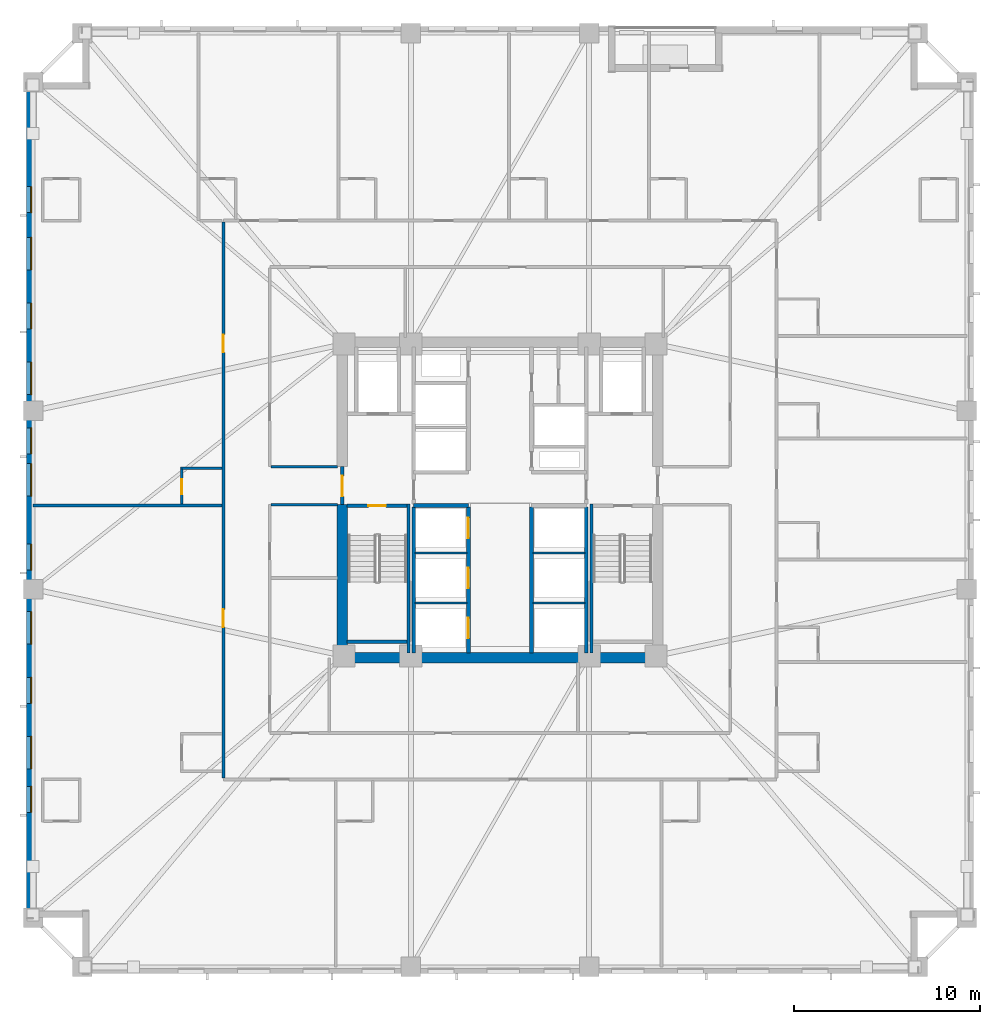
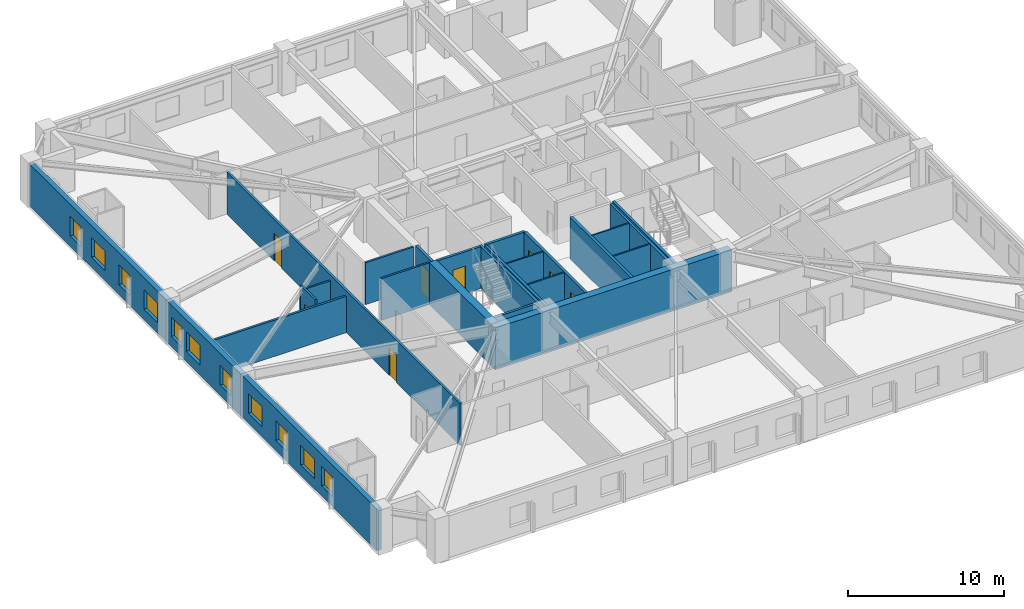
# One storey, part 3 of 12: 23 walls, 11 windows, 8 doors, 19 openings.
"""IFC4 building model written with IfcOpenShell, lengths in metres."""

from ifc_helpers import new_model, si_unit, direction, frame, frame_2d, origin, place, context, subcontext, project, spatial, rectangle, extrude, material, layer, layer_set, type_object, element, fill, save


model = new_model("IFC4")

# Units and contexts
model_context = context("Model", 3, precision=1e-05, world=origin(), true_north=direction((0.0, 1.0)))
body_context = subcontext(model_context, "Body", "Model", "MODEL_VIEW")
ifc_project = project(units=[si_unit("LENGTHUNIT", "METRE"), si_unit("AREAUNIT", "SQUARE_METRE"), si_unit("VOLUMEUNIT", "CUBIC_METRE"), si_unit("PLANEANGLEUNIT", "RADIAN"), si_unit("MASSUNIT", "GRAM", prefix="KILO")], contexts=[model_context])

# Site, building, storey
site_placement = place(None, origin())
site = spatial("IfcSite", under=ifc_project, at=site_placement, CompositionType="ELEMENT")
building_placement = place(site_placement, origin())
building = spatial("IfcBuilding", under=site, at=building_placement, Name="Cairnveth Concourse Tower", CompositionType="ELEMENT")
storey_placement = place(building_placement, frame((0.0, 0.0, 90.0)))
storey = spatial("IfcBuildingStorey", under=building, at=storey_placement, Name="L24", CompositionType="ELEMENT", Elevation=90.0)

# Wall, openings, doors
ifc_material_1 = material(Name="Gypsum Plasterboard Partition", Category="gypsum")
ifc_layer_1 = layer(ifc_material_1, 0.159912109375)
ifc_layer_set_1 = layer_set([ifc_layer_1], Name="Gypsum Plasterboard Partition")
wall_type_1 = type_object("IfcWallType", Name="ACOUSTIC PARTY WALL 180", PredefinedType="PARTITIONING", material=ifc_layer_set_1)
wall_1_placement = place(storey_placement, frame((37.10009765625, 24.014892578125, 0.0), z_axis=(0.0, 0.0, 1.0), x_axis=(0.0, 1.0, 0.0)))
wall_1 = element("IfcWall", 1, at=wall_1_placement, inside=storey, type_object=wall_type_1, Name="Interior Wall IW-L24-040", PredefinedType="PARTITIONING", context=body_context, shape_type="SweptSolid", body=[
    extrude(rectangle(XDim=29.97021484375, YDim=0.159912109375, at=frame_2d((14.985107421875, 0.0))), origin(), (0.0, 0.0, 1.0), 3.280029296875),
])
opening_1_placement = place(wall_1_placement, frame((8.1337890625, 0.0, 0.0)))
opening_1 = element("IfcOpeningElement", 2, at=opening_1_placement, cuts=wall_1, Name="Opening ID09", PredefinedType="OPENING", context=body_context, shape_type="SweptSolid", body=[
    extrude(rectangle(XDim=0.9599609375, YDim=2.14990234375, at=frame_2d((0.47998046875, 1.074951171875))), frame((0.0, 0.08984375, 0.0), z_axis=(0.0, -1.0, 0.0), x_axis=(1.0, 0.0, 0.0)), (0.0, 0.0, 1.0), 0.179931640625),
])
opening_2_placement = place(wall_1_placement, frame((22.933837890625, 0.0, 0.0)))
opening_2 = element("IfcOpeningElement", 3, at=opening_2_placement, cuts=wall_1, Name="Opening ID09", PredefinedType="OPENING", context=body_context, shape_type="SweptSolid", body=[
    extrude(rectangle(XDim=0.9599609375, YDim=2.14990234375, at=frame_2d((0.47998046875, 1.074951171875))), frame((0.0, 0.08984375, 0.0), z_axis=(0.0, -1.0, 0.0), x_axis=(1.0, 0.0, 0.0)), (0.0, 0.0, 1.0), 0.179931640625),
])
ifc_material_2 = material(Name="Solid Core Hardwood Timber Leaf", Category="wood")
door_type_1 = type_object("IfcDoorType", Name="HOTEL ENTRANCE DOOR 960X2150", OperationType="NOTDEFINED", PredefinedType="DOOR", material=ifc_material_2)
door_1_placement = place(opening_1_placement, origin())
door_1 = element("IfcDoor", 4, at=door_1_placement, inside=storey, type_object=door_type_1, Name="Hotel Room Door L24-W1", OperationType="SINGLE_SWING_RIGHT", OverallHeight=2.14990234375, OverallWidth=0.9599609375, PredefinedType="DOOR", context=body_context, shape_type="SweptSolid", body=[
    extrude(rectangle(XDim=0.9599609375, YDim=2.14990234375, at=frame_2d((0.47998046875, 1.074951171875))), frame((0.0, 0.02490234375, 0.0), z_axis=(0.0, -1.0, 0.0), x_axis=(1.0, 0.0, 0.0)), (0.0, 0.0, 1.0), 0.050048828125),
])
fill(opening_1, door_1)
door_2_placement = place(opening_2_placement, origin())
door_2 = element("IfcDoor", 5, at=door_2_placement, inside=storey, type_object=door_type_1, Name="Hotel Room Door L24-W2", OperationType="SINGLE_SWING_RIGHT", OverallHeight=2.14990234375, OverallWidth=0.9599609375, PredefinedType="DOOR", context=body_context, shape_type="SweptSolid", body=[
    extrude(rectangle(XDim=0.9599609375, YDim=2.14990234375, at=frame_2d((0.47998046875, 1.074951171875))), frame((0.0, 0.02490234375, 0.0), z_axis=(0.0, -1.0, 0.0), x_axis=(1.0, 0.0, 0.0)), (0.0, 0.0, 1.0), 0.050048828125),
])
fill(opening_2, door_2)

# Walls
wall_2_placement = place(storey_placement, frame((26.844970703125, 38.70751953125, 0.0), z_axis=(0.0, 0.0, 1.0), x_axis=(1.0, 0.0, 0.0)))
element("IfcWall", 6, at=wall_2_placement, inside=storey, type_object=wall_type_1, Name="Interior Wall IW-L24-092", PredefinedType="PARTITIONING", context=body_context, shape_type="SweptSolid", body=[
    extrude(rectangle(XDim=10.18994140625, YDim=0.159912109375, at=frame_2d((5.094970703125, 0.0))), origin(), (0.0, 0.0, 1.0), 2.84912109375),
])
ifc_material_3 = material(Name="Concrete N80 (80 MPa)", Category="concrete")
ifc_layer_2 = layer(ifc_material_3, 0.550048828125)
ifc_layer_set_2 = layer_set([ifc_layer_2], Name="Concrete N80 (80 MPa)")
wall_type_2 = type_object("IfcWallType", Name="CORE SHEAR WALL 550", PredefinedType="SHEAR", material=ifc_layer_set_2)
wall_3_placement = place(storey_placement, frame((43.22509765625, 30.5, 0.0), z_axis=(0.0, 0.0, 1.0), x_axis=(1.0, 0.0, 0.0)))
element("IfcWall", 7, at=wall_3_placement, inside=storey, type_object=wall_type_2, Name="Core South Shear Wall L24", PredefinedType="SHEAR", context=body_context, shape_type="SweptSolid", body=[
    extrude(rectangle(XDim=17.5498046875, YDim=0.550048828125, at=frame_2d((8.77490234375, 0.0))), origin(), (0.0, 0.0, 1.0), 3.280029296875),
])
wall_4_placement = place(storey_placement, frame((43.5, 30.764892578125, 0.0), z_axis=(0.0, 0.0, 1.0), x_axis=(0.0, 1.0, 0.0)))
element("IfcWall", 8, at=wall_4_placement, inside=storey, type_object=wall_type_2, Name="Core West Shear Wall S L24", PredefinedType="SHEAR", context=body_context, shape_type="SweptSolid", body=[
    extrude(rectangle(XDim=7.985107421875, YDim=0.550048828125, at=frame_2d((3.99267578125, 0.0))), origin(), (0.0, 0.0, 1.0), 3.280029296875),
])
ifc_material_4 = material(Name="Concrete N50 (50 MPa)", Category="concrete")
ifc_layer_3 = layer(ifc_material_4, 0.179931640625)
ifc_layer_set_3 = layer_set([ifc_layer_3], Name="Concrete N50 (50 MPa)")
wall_type_3 = type_object("IfcWallType", Name="FIRE SHAFT WALL 180", PredefinedType="SOLIDWALL", material=ifc_layer_set_3)
for number, where, z_axis, x_axis, name in (
    (9, (47.35009765625, 30.760009765625, 0.0), (0.0, 0.0, 1.0), (0.0, 1.0, 0.0), "Interior Wall IW-L24-025"),
    (10, (56.64990234375, 30.760009765625, 0.0), (0.0, 0.0, 1.0), (0.0, 1.0, 0.0), "Interior Wall IW-L24-028"),
):
    element("IfcWall", number, at=place(storey_placement, frame(where, z_axis=z_axis, x_axis=x_axis)), inside=storey, type_object=wall_type_3, Name=name, PredefinedType="SOLIDWALL", context=body_context, shape_type="SweptSolid", body=[
        extrude(rectangle(XDim=7.85498046875, YDim=0.179931640625, at=frame_2d((3.927490234375, 0.0))), origin(), (0.0, 0.0, 1.0), 3.280029296875),
    ])

# Wall, opening, door
wall_5_placement = place(storey_placement, frame((43.764892578125, 38.68994140625, 0.0), z_axis=(0.0, 0.0, 1.0), x_axis=(1.0, 0.0, 0.0)))
wall_5 = element("IfcWall", 11, at=wall_5_placement, inside=storey, type_object=wall_type_3, Name="Stair ST-1 Shaft Wall NEAR L24", PredefinedType="SOLIDWALL", context=body_context, shape_type="SweptSolid", body=[
    extrude(rectangle(XDim=3.230224609375, YDim=0.179931640625, at=frame_2d((1.615234375, 0.0))), origin(), (0.0, 0.0, 1.0), 3.280029296875),
])
opening_3_placement = place(wall_5_placement, frame((1.139892578125, 0.0, 0.0)))
opening_3 = element("IfcOpeningElement", 12, at=opening_3_placement, cuts=wall_5, Name="Opening ID12", PredefinedType="OPENING", context=body_context, shape_type="SweptSolid", body=[
    extrude(rectangle(XDim=0.949951171875, YDim=2.14990234375, at=frame_2d((0.47509765625, 1.074951171875))), frame((0.0, 0.099853515625, 0.0), z_axis=(0.0, -1.0, 0.0), x_axis=(1.0, 0.0, 0.0)), (0.0, 0.0, 1.0), 0.199951171875),
])
ifc_material_5 = material(Name="Steel Grade 350", Category="steel")
door_type_2 = type_object("IfcDoorType", Name="FIRE STAIR DOOR 950X2150", OperationType="NOTDEFINED", PredefinedType="DOOR", material=ifc_material_5)
door_3_placement = place(opening_3_placement, origin())
door_3 = element("IfcDoor", 13, at=door_3_placement, inside=storey, type_object=door_type_2, Name="Stair ST-1 Fire Door L24", OperationType="SINGLE_SWING_LEFT", OverallHeight=2.14990234375, OverallWidth=0.949951171875, PredefinedType="DOOR", context=body_context, shape_type="SweptSolid", body=[
    extrude(rectangle(XDim=0.949951171875, YDim=2.14990234375, at=frame_2d((0.47509765625, 1.074951171875))), frame((0.0, 0.02490234375, 0.0), z_axis=(0.0, -1.0, 0.0), x_axis=(1.0, 0.0, 0.0)), (0.0, 0.0, 1.0), 0.050048828125),
])
fill(opening_3, door_3)

# Walls
wall_6_placement = place(storey_placement, frame((43.764892578125, 31.360107421875, 0.0), z_axis=(0.0, 0.0, 1.0), x_axis=(1.0, 0.0, 0.0)))
element("IfcWall", 14, at=wall_6_placement, inside=storey, type_object=wall_type_3, Name="Stair ST-1 Shaft Wall FAR L24", PredefinedType="SOLIDWALL", context=body_context, shape_type="SweptSolid", body=[
    extrude(rectangle(XDim=3.230224609375, YDim=0.179931640625, at=frame_2d((1.615234375, 0.0))), origin(), (0.0, 0.0, 1.0), 3.280029296875),
])
for number, where, z_axis, x_axis, name in (
    (15, (47.070068359375, 38.780029296875, 0.0), (0.0, 0.0, 1.0), (0.0, -1.0, 0.0), "Stair ST-1 Shaft Wall RGHT L24"),
    (16, (56.929931640625, 38.780029296875, 0.0), (0.0, 0.0, 1.0), (0.0, -1.0, 0.0), "Stair ST-2 Shaft Wall LEFT L24"),
):
    element("IfcWall", number, at=place(storey_placement, frame(where, z_axis=z_axis, x_axis=x_axis)), inside=storey, type_object=wall_type_3, Name=name, PredefinedType="SOLIDWALL", context=body_context, shape_type="SweptSolid", body=[
        extrude(rectangle(XDim=8.01708984375, YDim=0.179931640625, at=frame_2d((4.008544921875, 0.0))), origin(), (0.0, 0.0, 1.0), 3.280029296875),
    ])
ifc_layer_4 = layer(ifc_material_4, 0.199951171875)
ifc_layer_set_4 = layer_set([ifc_layer_4], Name="Concrete N50 (50 MPa)")
wall_type_4 = type_object("IfcWallType", Name="FIRE SHAFT WALL 200", PredefinedType="SOLIDWALL", material=ifc_layer_set_4)
wall_7_placement = place(storey_placement, frame((47.35009765625, 38.699951171875, 0.0), z_axis=(0.0, 0.0, 1.0), x_axis=(1.0, 0.0, 0.0)))
element("IfcWall", 17, at=wall_7_placement, inside=storey, type_object=wall_type_4, Name="Interior Wall IW-L24-007", PredefinedType="SOLIDWALL", context=body_context, shape_type="SweptSolid", body=[
    extrude(rectangle(XDim=2.949951171875, YDim=0.199951171875, at=frame_2d((1.47509765625, 0.0))), origin(), (0.0, 0.0, 1.0), 3.280029296875),
])

# Wall, openings, doors
wall_8_placement = place(storey_placement, frame((50.300048828125, 30.760009765625, 0.0), z_axis=(0.0, 0.0, 1.0), x_axis=(0.0, 1.0, 0.0)))
wall_8 = element("IfcWall", 18, at=wall_8_placement, inside=storey, type_object=wall_type_4, Name="Interior Wall IW-L24-011", PredefinedType="SOLIDWALL", context=body_context, shape_type="SweptSolid", body=[
    extrude(rectangle(XDim=7.85498046875, YDim=0.199951171875, at=frame_2d((3.927490234375, 0.0))), origin(), (0.0, 0.0, 1.0), 3.280029296875),
])
opening_4_placement = place(wall_8_placement, frame((0.7900390625, 0.0, 0.0)))
opening_4 = element("IfcOpeningElement", 19, at=opening_4_placement, cuts=wall_8, Name="Opening LD-1", PredefinedType="OPENING", context=body_context, shape_type="SweptSolid", body=[
    extrude(rectangle(XDim=1.10009765625, YDim=2.199951171875, at=frame_2d((0.550048828125, 1.10009765625))), frame((0.0, 0.10986328125, 0.0), z_axis=(0.0, -1.0, 0.0), x_axis=(1.0, 0.0, 0.0)), (0.0, 0.0, 1.0), 0.219970703125),
])
opening_5_placement = place(wall_8_placement, frame((3.489990234375, 0.0, 0.0)))
opening_5 = element("IfcOpeningElement", 20, at=opening_5_placement, cuts=wall_8, Name="Opening LD-1", PredefinedType="OPENING", context=body_context, shape_type="SweptSolid", body=[
    extrude(rectangle(XDim=1.10009765625, YDim=2.199951171875, at=frame_2d((0.550048828125, 1.10009765625))), frame((0.0, 0.10986328125, 0.0), z_axis=(0.0, -1.0, 0.0), x_axis=(1.0, 0.0, 0.0)), (0.0, 0.0, 1.0), 0.219970703125),
])
opening_6_placement = place(wall_8_placement, frame((6.18994140625, 0.0, 0.0)))
opening_6 = element("IfcOpeningElement", 21, at=opening_6_placement, cuts=wall_8, Name="Opening LD-1", PredefinedType="OPENING", context=body_context, shape_type="SweptSolid", body=[
    extrude(rectangle(XDim=1.10009765625, YDim=2.199951171875, at=frame_2d((0.550048828125, 1.10009765625))), frame((0.0, 0.10986328125, 0.0), z_axis=(0.0, -1.0, 0.0), x_axis=(1.0, 0.0, 0.0)), (0.0, 0.0, 1.0), 0.219970703125),
])
ifc_material_6 = material(Name="Architectural Bronze Anodised Aluminium 6063-T6", Category="aluminium")
door_type_3 = type_object("IfcDoorType", Name="LIFT LANDING DOOR 1100X2200", OperationType="SLIDING_TO_LEFT", PredefinedType="DOOR", material=ifc_material_6)
door_4_placement = place(opening_4_placement, origin())
door_4 = element("IfcDoor", 22, at=door_4_placement, inside=storey, type_object=door_type_3, Name="Lift PL1 Landing Door L24", OperationType="SLIDING_TO_LEFT", OverallHeight=2.199951171875, OverallWidth=1.10009765625, PredefinedType="DOOR", context=body_context, shape_type="SweptSolid", body=[
    extrude(rectangle(XDim=1.10009765625, YDim=2.199951171875, at=frame_2d((0.550048828125, 1.10009765625))), frame((0.0, 0.02490234375, 0.0), z_axis=(0.0, -1.0, 0.0), x_axis=(1.0, 0.0, 0.0)), (0.0, 0.0, 1.0), 0.050048828125),
])
fill(opening_4, door_4)
door_5_placement = place(opening_5_placement, origin())
door_5 = element("IfcDoor", 23, at=door_5_placement, inside=storey, type_object=door_type_3, Name="Lift PL2 Landing Door L24", OperationType="SLIDING_TO_LEFT", OverallHeight=2.199951171875, OverallWidth=1.10009765625, PredefinedType="DOOR", context=body_context, shape_type="SweptSolid", body=[
    extrude(rectangle(XDim=1.10009765625, YDim=2.199951171875, at=frame_2d((0.550048828125, 1.10009765625))), frame((0.0, 0.02490234375, 0.0), z_axis=(0.0, -1.0, 0.0), x_axis=(1.0, 0.0, 0.0)), (0.0, 0.0, 1.0), 0.050048828125),
])
fill(opening_5, door_5)
door_6_placement = place(opening_6_placement, origin())
door_6 = element("IfcDoor", 24, at=door_6_placement, inside=storey, type_object=door_type_3, Name="Lift PL3 Landing Door L24", OperationType="SLIDING_TO_LEFT", OverallHeight=2.199951171875, OverallWidth=1.10009765625, PredefinedType="DOOR", context=body_context, shape_type="SweptSolid", body=[
    extrude(rectangle(XDim=1.10009765625, YDim=2.199951171875, at=frame_2d((0.550048828125, 1.10009765625))), frame((0.0, 0.02490234375, 0.0), z_axis=(0.0, -1.0, 0.0), x_axis=(1.0, 0.0, 0.0)), (0.0, 0.0, 1.0), 0.050048828125),
])
fill(opening_6, door_6)

# Wall
wall_9_placement = place(storey_placement, frame((53.699951171875, 30.760009765625, 0.0), z_axis=(0.0, 0.0, 1.0), x_axis=(0.0, 1.0, 0.0)))
element("IfcWall", 25, at=wall_9_placement, inside=storey, type_object=wall_type_4, Name="Interior Wall IW-L24-012", PredefinedType="SOLIDWALL", context=body_context, shape_type="SweptSolid", body=[
    extrude(rectangle(XDim=7.85498046875, YDim=0.199951171875, at=frame_2d((3.927490234375, 0.0))), origin(), (0.0, 0.0, 1.0), 3.280029296875),
])

# Wall, opening, door
wall_10_placement = place(storey_placement, frame((43.5, 38.75, 0.0), z_axis=(0.0, 0.0, 1.0), x_axis=(0.0, 1.0, 0.0)))
wall_10 = element("IfcWall", 26, at=wall_10_placement, inside=storey, type_object=wall_type_4, Name="Interior Wall IW-L24-015", PredefinedType="SOLIDWALL", context=body_context, shape_type="SweptSolid", body=[
    extrude(rectangle(XDim=2.050048828125, YDim=0.199951171875, at=frame_2d((1.02490234375, 0.0))), origin(), (0.0, 0.0, 1.0), 3.280029296875),
])
opening_7_placement = place(wall_10_placement, frame((0.449951171875, 0.0, 0.0)))
opening_7 = element("IfcOpeningElement", 27, at=opening_7_placement, cuts=wall_10, Name="Opening ID06", PredefinedType="OPENING", context=body_context, shape_type="SweptSolid", body=[
    extrude(rectangle(XDim=1.10009765625, YDim=2.14990234375, at=frame_2d((0.550048828125, 1.074951171875))), frame((0.0, 0.10986328125, 0.0), z_axis=(0.0, -1.0, 0.0), x_axis=(1.0, 0.0, 0.0)), (0.0, 0.0, 1.0), 0.219970703125),
])
door_type_4 = type_object("IfcDoorType", Name="FIRE CORRIDOR DOOR 1100X2150", OperationType="NOTDEFINED", PredefinedType="DOOR", material=ifc_material_5)
door_7_placement = place(opening_7_placement, origin())
door_7 = element("IfcDoor", 28, at=door_7_placement, inside=storey, type_object=door_type_4, Name="West Wing to FF Lobby Door L24", OperationType="SINGLE_SWING_LEFT", OverallHeight=2.14990234375, OverallWidth=1.10009765625, PredefinedType="DOOR", context=body_context, shape_type="SweptSolid", body=[
    extrude(rectangle(XDim=1.10009765625, YDim=2.14990234375, at=frame_2d((0.550048828125, 1.074951171875))), frame((0.0, 0.02490234375, 0.0), z_axis=(0.0, -1.0, 0.0), x_axis=(1.0, 0.0, 0.0)), (0.0, 0.0, 1.0), 0.050048828125),
])
fill(opening_7, door_7)

# Walls
ifc_layer_5 = layer(ifc_material_1, 0.139892578125)
ifc_layer_set_5 = layer_set([ifc_layer_5], Name="Gypsum Plasterboard Partition")
wall_type_5 = type_object("IfcWallType", Name="GYPSUM STUD PARTITION 140", PredefinedType="PARTITIONING", material=ifc_layer_set_5)
for number, where, z_axis, x_axis, name in (
    (29, (39.655029296875, 38.75, 0.0), (0.0, 0.0, 1.0), (1.0, 0.0, 0.0), "Interior Wall IW-L24-046"),
    (30, (39.655029296875, 40.800048828125, 0.0), (0.0, 0.0, 1.0), (1.0, 0.0, 0.0), "Interior Wall IW-L24-047"),
):
    element("IfcWall", number, at=place(storey_placement, frame(where, z_axis=z_axis, x_axis=x_axis)), inside=storey, type_object=wall_type_5, Name=name, PredefinedType="PARTITIONING", context=body_context, shape_type="SweptSolid", body=[
        extrude(rectangle(XDim=3.5849609375, YDim=0.139892578125, at=frame_2d((1.79248046875, 0.0))), origin(), (0.0, 0.0, 1.0), 3.280029296875),
    ])
ifc_layer_6 = layer(ifc_material_1, 0.110107421875)
ifc_layer_set_6 = layer_set([ifc_layer_6], Name="Gypsum Plasterboard Partition")
wall_type_6 = type_object("IfcWallType", Name="SHAFT DIVIDER WALL 140", PredefinedType="PARTITIONING", material=ifc_layer_set_6)
for number, where, z_axis, x_axis, name in (
    (31, (47.425048828125, 33.449951171875, 0.0), (0.0, 0.0, 1.0), (1.0, 0.0, 0.0), "Interior Wall IW-L24-026"),
    (32, (47.425048828125, 36.14990234375, 0.0), (0.0, 0.0, 1.0), (1.0, 0.0, 0.0), "Interior Wall IW-L24-027"),
    (33, (53.784912109375, 33.449951171875, 0.0), (0.0, 0.0, 1.0), (1.0, 0.0, 0.0), "Interior Wall IW-L24-029"),
    (34, (53.784912109375, 36.14990234375, 0.0), (0.0, 0.0, 1.0), (1.0, 0.0, 0.0), "Interior Wall IW-L24-030"),
):
    element("IfcWall", number, at=place(storey_placement, frame(where, z_axis=z_axis, x_axis=x_axis)), inside=storey, type_object=wall_type_6, Name=name, PredefinedType="PARTITIONING", context=body_context, shape_type="SweptSolid", body=[
        extrude(rectangle(XDim=2.7900390625, YDim=0.110107421875, at=frame_2d((1.39501953125, 0.0))), origin(), (0.0, 0.0, 1.0), 3.280029296875),
    ])
ifc_layer_7 = layer(ifc_material_1, 0.1298828125)
ifc_layer_set_7 = layer_set([ifc_layer_7], Name="Gypsum Plasterboard Partition")
wall_type_7 = type_object("IfcWallType", Name="WET AREA PARTITION 140", PredefinedType="PLUMBINGWALL", material=ifc_layer_set_7)
wall_11_placement = place(storey_placement, frame((34.800048828125, 40.70751953125, 0.0), z_axis=(0.0, 0.0, 1.0), x_axis=(1.0, 0.0, 0.0)))
element("IfcWall", 35, at=wall_11_placement, inside=storey, type_object=wall_type_7, Name="Interior Wall IW-L24-093", PredefinedType="PLUMBINGWALL", context=body_context, shape_type="SweptSolid", body=[
    extrude(rectangle(XDim=2.23486328125, YDim=0.1298828125, at=frame_2d((1.117431640625, 0.0))), origin(), (0.0, 0.0, 1.0), 2.84912109375),
])

# Wall, opening, door
wall_12_placement = place(storey_placement, frame((34.85009765625, 38.7724609375, 0.0), z_axis=(0.0, 0.0, 1.0), x_axis=(0.0, 1.0, 0.0)))
wall_12 = element("IfcWall", 36, at=wall_12_placement, inside=storey, type_object=wall_type_7, Name="Interior Wall IW-L24-094", PredefinedType="PLUMBINGWALL", context=body_context, shape_type="SweptSolid", body=[
    extrude(rectangle(XDim=1.885009765625, YDim=0.1298828125, at=frame_2d((0.9423828125, 0.0))), origin(), (0.0, 0.0, 1.0), 3.280029296875),
])
opening_8_placement = place(wall_12_placement, frame((0.52490234375, 0.0, 0.0)))
opening_8 = element("IfcOpeningElement", 37, at=opening_8_placement, cuts=wall_12, Name="Opening ID22", PredefinedType="OPENING", context=body_context, shape_type="SweptSolid", body=[
    extrude(rectangle(XDim=0.820068359375, YDim=2.10009765625, at=frame_2d((0.41015625, 1.050048828125))), frame((0.0, 0.074951171875, 0.0), z_axis=(0.0, -1.0, 0.0), x_axis=(1.0, 0.0, 0.0)), (0.0, 0.0, 1.0), 0.14990234375),
])
door_type_5 = type_object("IfcDoorType", Name="INTERIOR WC DOOR 820X2100", OperationType="NOTDEFINED", PredefinedType="DOOR", material=ifc_material_2)
door_8_placement = place(opening_8_placement, origin())
door_8 = element("IfcDoor", 38, at=door_8_placement, inside=storey, type_object=door_type_5, Name="En-Suite Door L24-W2", OperationType="SINGLE_SWING_LEFT", OverallHeight=2.10009765625, OverallWidth=0.820068359375, PredefinedType="DOOR", context=body_context, shape_type="SweptSolid", body=[
    extrude(rectangle(XDim=0.820068359375, YDim=2.10009765625, at=frame_2d((0.41015625, 1.050048828125))), frame((0.0, 0.02490234375, 0.0), z_axis=(0.0, -1.0, 0.0), x_axis=(1.0, 0.0, 0.0)), (0.0, 0.0, 1.0), 0.050048828125),
])
fill(opening_8, door_8)

# Wall, openings, windows
ifc_material_7 = material(Name="Hawthorn Red-Ochre Fired Clay Brick Masonry", Category="masonry")
ifc_layer_8 = layer(ifc_material_7, 0.360107421875)
ifc_layer_set_8 = layer_set([ifc_layer_8], Name="Hawthorn Red-Ochre Fired Clay Brick Masonry")
wall_type_8 = type_object("IfcWallType", Name="ZONE 1 BRICK PIER SPANDREL WALL 360", PredefinedType="SOLIDWALL", material=ifc_layer_set_8)
wall_13_placement = place(storey_placement, frame((26.679931640625, 16.5, 0.0), z_axis=(0.0, 0.0, 1.0), x_axis=(0.0, 1.0, 0.0)))
wall_13 = element("IfcWall", 39, at=wall_13_placement, inside=storey, type_object=wall_type_8, Name="Exterior Wall EW-L24-S09", PredefinedType="SOLIDWALL", context=body_context, shape_type="SweptSolid", body=[
    extrude(rectangle(XDim=44.662109375, YDim=0.360107421875, at=frame_2d((22.3310546875, 0.0))), origin(), (0.0, 0.0, 1.0), 3.280029296875),
])
opening_9_placement = place(wall_13_placement, frame((5.68017578125, 0.0, 0.800048828125)))
opening_9 = element("IfcOpeningElement", 40, at=opening_9_placement, cuts=wall_13, Name="Opening W05", PredefinedType="OPENING", context=body_context, shape_type="SweptSolid", body=[
    extrude(rectangle(XDim=1.39990234375, YDim=1.5439453125, at=frame_2d((0.699951171875, 0.77197265625))), frame((0.0, 0.18994140625, 0.0), z_axis=(0.0, -1.0, 0.0), x_axis=(1.0, 0.0, 0.0)), (0.0, 0.0, 1.0), 0.380126953125),
])
opening_10_placement = place(wall_13_placement, frame((8.015380859375, 0.0, 0.800048828125)))
opening_10 = element("IfcOpeningElement", 41, at=opening_10_placement, cuts=wall_13, Name="Opening W06", PredefinedType="OPENING", context=body_context, shape_type="SweptSolid", body=[
    extrude(rectangle(XDim=1.75, YDim=1.5439453125, at=frame_2d((0.875, 0.77197265625))), frame((0.0, 0.18994140625, 0.0), z_axis=(0.0, -1.0, 0.0), x_axis=(1.0, 0.0, 0.0)), (0.0, 0.0, 1.0), 0.380126953125),
])
opening_11_placement = place(wall_13_placement, frame((11.550537109375, 0.0, 0.800048828125)))
opening_11 = element("IfcOpeningElement", 42, at=opening_11_placement, cuts=wall_13, Name="Opening W05", PredefinedType="OPENING", context=body_context, shape_type="SweptSolid", body=[
    extrude(rectangle(XDim=1.39990234375, YDim=1.5439453125, at=frame_2d((0.699951171875, 0.77197265625))), frame((0.0, 0.18994140625, 0.0), z_axis=(0.0, -1.0, 0.0), x_axis=(1.0, 0.0, 0.0)), (0.0, 0.0, 1.0), 0.380126953125),
])
opening_12_placement = place(wall_13_placement, frame((14.735595703125, 0.0, 0.800048828125)))
opening_12 = element("IfcOpeningElement", 43, at=opening_12_placement, cuts=wall_13, Name="Opening W06", PredefinedType="OPENING", context=body_context, shape_type="SweptSolid", body=[
    extrude(rectangle(XDim=1.75, YDim=1.5439453125, at=frame_2d((0.875, 0.77197265625))), frame((0.0, 0.18994140625, 0.0), z_axis=(0.0, -1.0, 0.0), x_axis=(1.0, 0.0, 0.0)), (0.0, 0.0, 1.0), 0.380126953125),
])
opening_13_placement = place(wall_13_placement, frame((18.720703125, 0.0, 0.800048828125)))
opening_13 = element("IfcOpeningElement", 44, at=opening_13_placement, cuts=wall_13, Name="Opening W05", PredefinedType="OPENING", context=body_context, shape_type="SweptSolid", body=[
    extrude(rectangle(XDim=1.39990234375, YDim=1.5439453125, at=frame_2d((0.699951171875, 0.77197265625))), frame((0.0, 0.18994140625, 0.0), z_axis=(0.0, -1.0, 0.0), x_axis=(1.0, 0.0, 0.0)), (0.0, 0.0, 1.0), 0.380126953125),
])
opening_14_placement = place(wall_13_placement, frame((22.7060546875, 0.0, 0.800048828125)))
opening_14 = element("IfcOpeningElement", 45, at=opening_14_placement, cuts=wall_13, Name="Opening W06", PredefinedType="OPENING", context=body_context, shape_type="SweptSolid", body=[
    extrude(rectangle(XDim=1.75, YDim=1.5439453125, at=frame_2d((0.875, 0.77197265625))), frame((0.0, 0.18994140625, 0.0), z_axis=(0.0, -1.0, 0.0), x_axis=(1.0, 0.0, 0.0)), (0.0, 0.0, 1.0), 0.380126953125),
])
opening_15_placement = place(wall_13_placement, frame((24.9912109375, 0.0, 0.800048828125)))
opening_15 = element("IfcOpeningElement", 46, at=opening_15_placement, cuts=wall_13, Name="Opening W05", PredefinedType="OPENING", context=body_context, shape_type="SweptSolid", body=[
    extrude(rectangle(XDim=1.39990234375, YDim=1.5439453125, at=frame_2d((0.699951171875, 0.77197265625))), frame((0.0, 0.18994140625, 0.0), z_axis=(0.0, -1.0, 0.0), x_axis=(1.0, 0.0, 0.0)), (0.0, 0.0, 1.0), 0.380126953125),
])
opening_16_placement = place(wall_13_placement, frame((28.176513671875, 0.0, 0.800048828125)))
opening_16 = element("IfcOpeningElement", 47, at=opening_16_placement, cuts=wall_13, Name="Opening W06", PredefinedType="OPENING", context=body_context, shape_type="SweptSolid", body=[
    extrude(rectangle(XDim=1.75, YDim=1.5439453125, at=frame_2d((0.875, 0.77197265625))), frame((0.0, 0.18994140625, 0.0), z_axis=(0.0, -1.0, 0.0), x_axis=(1.0, 0.0, 0.0)), (0.0, 0.0, 1.0), 0.380126953125),
])
opening_17_placement = place(wall_13_placement, frame((31.71142578125, 0.0, 0.800048828125)))
opening_17 = element("IfcOpeningElement", 48, at=opening_17_placement, cuts=wall_13, Name="Opening W05", PredefinedType="OPENING", context=body_context, shape_type="SweptSolid", body=[
    extrude(rectangle(XDim=1.39990234375, YDim=1.5439453125, at=frame_2d((0.699951171875, 0.77197265625))), frame((0.0, 0.18994140625, 0.0), z_axis=(0.0, -1.0, 0.0), x_axis=(1.0, 0.0, 0.0)), (0.0, 0.0, 1.0), 0.380126953125),
])
opening_18_placement = place(wall_13_placement, frame((34.896728515625, 0.0, 0.800048828125)))
opening_18 = element("IfcOpeningElement", 49, at=opening_18_placement, cuts=wall_13, Name="Opening W06", PredefinedType="OPENING", context=body_context, shape_type="SweptSolid", body=[
    extrude(rectangle(XDim=1.75, YDim=1.5439453125, at=frame_2d((0.875, 0.77197265625))), frame((0.0, 0.18994140625, 0.0), z_axis=(0.0, -1.0, 0.0), x_axis=(1.0, 0.0, 0.0)), (0.0, 0.0, 1.0), 0.380126953125),
])
opening_19_placement = place(wall_13_placement, frame((37.98193359375, 0.0, 0.800048828125)))
opening_19 = element("IfcOpeningElement", 50, at=opening_19_placement, cuts=wall_13, Name="Opening W05", PredefinedType="OPENING", context=body_context, shape_type="SweptSolid", body=[
    extrude(rectangle(XDim=1.39990234375, YDim=1.5439453125, at=frame_2d((0.699951171875, 0.77197265625))), frame((0.0, 0.18994140625, 0.0), z_axis=(0.0, -1.0, 0.0), x_axis=(1.0, 0.0, 0.0)), (0.0, 0.0, 1.0), 0.380126953125),
])
ifc_material_8 = material(Name="Double Glazed Low-E Clear Glass", Category="glass")
window_type_1 = type_object("IfcWindowType", Name="DEEP-SET HOTEL CASEMENT WINDOW 1400X1750", PartitioningType="DOUBLE_PANEL_VERTICAL", PredefinedType="WINDOW", material=ifc_material_8)
window_1_placement = place(opening_9_placement, origin())
window_1 = element("IfcWindow", 51, at=window_1_placement, inside=storey, type_object=window_type_1, Name="Gothic Lancet Window L24-9-1", OverallHeight=1.5439453125, OverallWidth=1.39990234375, PartitioningType="SINGLE_PANEL", PredefinedType="WINDOW", context=body_context, shape_type="SweptSolid", body=[
    extrude(rectangle(XDim=1.39990234375, YDim=1.5439453125, at=frame_2d((0.699951171875, 0.77197265625))), frame((0.0, -0.050048828125, 0.0), z_axis=(0.0, -1.0, 0.0), x_axis=(1.0, 0.0, 0.0)), (0.0, 0.0, 1.0), 0.06005859375),
])
fill(opening_9, window_1)
window_2_placement = place(opening_11_placement, origin())
window_2 = element("IfcWindow", 52, at=window_2_placement, inside=storey, type_object=window_type_1, Name="Gothic Lancet Window L24-9-3", OverallHeight=1.5439453125, OverallWidth=1.39990234375, PartitioningType="SINGLE_PANEL", PredefinedType="WINDOW", context=body_context, shape_type="SweptSolid", body=[
    extrude(rectangle(XDim=1.39990234375, YDim=1.5439453125, at=frame_2d((0.699951171875, 0.77197265625))), frame((0.0, -0.050048828125, 0.0), z_axis=(0.0, -1.0, 0.0), x_axis=(1.0, 0.0, 0.0)), (0.0, 0.0, 1.0), 0.06005859375),
])
fill(opening_11, window_2)
window_3_placement = place(opening_13_placement, origin())
window_3 = element("IfcWindow", 53, at=window_3_placement, inside=storey, type_object=window_type_1, Name="Gothic Lancet Window L24-9-5", OverallHeight=1.5439453125, OverallWidth=1.39990234375, PartitioningType="SINGLE_PANEL", PredefinedType="WINDOW", context=body_context, shape_type="SweptSolid", body=[
    extrude(rectangle(XDim=1.39990234375, YDim=1.5439453125, at=frame_2d((0.699951171875, 0.77197265625))), frame((0.0, -0.050048828125, 0.0), z_axis=(0.0, -1.0, 0.0), x_axis=(1.0, 0.0, 0.0)), (0.0, 0.0, 1.0), 0.06005859375),
])
fill(opening_13, window_3)
window_4_placement = place(opening_15_placement, origin())
window_4 = element("IfcWindow", 54, at=window_4_placement, inside=storey, type_object=window_type_1, Name="Gothic Lancet Window L24-9-7", OverallHeight=1.5439453125, OverallWidth=1.39990234375, PartitioningType="SINGLE_PANEL", PredefinedType="WINDOW", context=body_context, shape_type="SweptSolid", body=[
    extrude(rectangle(XDim=1.39990234375, YDim=1.5439453125, at=frame_2d((0.699951171875, 0.77197265625))), frame((0.0, -0.050048828125, 0.0), z_axis=(0.0, -1.0, 0.0), x_axis=(1.0, 0.0, 0.0)), (0.0, 0.0, 1.0), 0.06005859375),
])
fill(opening_15, window_4)
window_5_placement = place(opening_17_placement, origin())
window_5 = element("IfcWindow", 55, at=window_5_placement, inside=storey, type_object=window_type_1, Name="Gothic Lancet Window L24-9-9", OverallHeight=1.5439453125, OverallWidth=1.39990234375, PartitioningType="SINGLE_PANEL", PredefinedType="WINDOW", context=body_context, shape_type="SweptSolid", body=[
    extrude(rectangle(XDim=1.39990234375, YDim=1.5439453125, at=frame_2d((0.699951171875, 0.77197265625))), frame((0.0, -0.050048828125, 0.0), z_axis=(0.0, -1.0, 0.0), x_axis=(1.0, 0.0, 0.0)), (0.0, 0.0, 1.0), 0.06005859375),
])
fill(opening_17, window_5)
window_6_placement = place(opening_19_placement, origin())
window_6 = element("IfcWindow", 56, at=window_6_placement, inside=storey, type_object=window_type_1, Name="Gothic Lancet Window L24-9-11", OverallHeight=1.5439453125, OverallWidth=1.39990234375, PartitioningType="SINGLE_PANEL", PredefinedType="WINDOW", context=body_context, shape_type="SweptSolid", body=[
    extrude(rectangle(XDim=1.39990234375, YDim=1.5439453125, at=frame_2d((0.699951171875, 0.77197265625))), frame((0.0, -0.050048828125, 0.0), z_axis=(0.0, -1.0, 0.0), x_axis=(1.0, 0.0, 0.0)), (0.0, 0.0, 1.0), 0.06005859375),
])
fill(opening_19, window_6)
window_type_2 = type_object("IfcWindowType", Name="DEEP-SET HOTEL SUITE WINDOW 1750X1800", PartitioningType="DOUBLE_PANEL_VERTICAL", PredefinedType="WINDOW", material=ifc_material_8)
window_7_placement = place(opening_10_placement, origin())
window_7 = element("IfcWindow", 57, at=window_7_placement, inside=storey, type_object=window_type_2, Name="Gothic Lancet Window L24-9-2", OverallHeight=1.5439453125, OverallWidth=1.75, PartitioningType="SINGLE_PANEL", PredefinedType="WINDOW", context=body_context, shape_type="SweptSolid", body=[
    extrude(rectangle(XDim=1.75, YDim=1.5439453125, at=frame_2d((0.875, 0.77197265625))), frame((0.0, -0.050048828125, 0.0), z_axis=(0.0, -1.0, 0.0), x_axis=(1.0, 0.0, 0.0)), (0.0, 0.0, 1.0), 0.06005859375),
])
fill(opening_10, window_7)
window_8_placement = place(opening_12_placement, origin())
window_8 = element("IfcWindow", 58, at=window_8_placement, inside=storey, type_object=window_type_2, Name="Gothic Lancet Window L24-9-4", OverallHeight=1.5439453125, OverallWidth=1.75, PartitioningType="SINGLE_PANEL", PredefinedType="WINDOW", context=body_context, shape_type="SweptSolid", body=[
    extrude(rectangle(XDim=1.75, YDim=1.5439453125, at=frame_2d((0.875, 0.77197265625))), frame((0.0, -0.050048828125, 0.0), z_axis=(0.0, -1.0, 0.0), x_axis=(1.0, 0.0, 0.0)), (0.0, 0.0, 1.0), 0.06005859375),
])
fill(opening_12, window_8)
window_9_placement = place(opening_14_placement, origin())
window_9 = element("IfcWindow", 59, at=window_9_placement, inside=storey, type_object=window_type_2, Name="Gothic Lancet Window L24-9-6", OverallHeight=1.5439453125, OverallWidth=1.75, PartitioningType="SINGLE_PANEL", PredefinedType="WINDOW", context=body_context, shape_type="SweptSolid", body=[
    extrude(rectangle(XDim=1.75, YDim=1.5439453125, at=frame_2d((0.875, 0.77197265625))), frame((0.0, -0.050048828125, 0.0), z_axis=(0.0, -1.0, 0.0), x_axis=(1.0, 0.0, 0.0)), (0.0, 0.0, 1.0), 0.06005859375),
])
fill(opening_14, window_9)
window_10_placement = place(opening_16_placement, origin())
window_10 = element("IfcWindow", 60, at=window_10_placement, inside=storey, type_object=window_type_2, Name="Gothic Lancet Window L24-9-8", OverallHeight=1.5439453125, OverallWidth=1.75, PartitioningType="SINGLE_PANEL", PredefinedType="WINDOW", context=body_context, shape_type="SweptSolid", body=[
    extrude(rectangle(XDim=1.75, YDim=1.5439453125, at=frame_2d((0.875, 0.77197265625))), frame((0.0, -0.050048828125, 0.0), z_axis=(0.0, -1.0, 0.0), x_axis=(1.0, 0.0, 0.0)), (0.0, 0.0, 1.0), 0.06005859375),
])
fill(opening_16, window_10)
window_11_placement = place(opening_18_placement, origin())
window_11 = element("IfcWindow", 61, at=window_11_placement, inside=storey, type_object=window_type_2, Name="Gothic Lancet Window L24-9-10", OverallHeight=1.5439453125, OverallWidth=1.75, PartitioningType="SINGLE_PANEL", PredefinedType="WINDOW", context=body_context, shape_type="SweptSolid", body=[
    extrude(rectangle(XDim=1.75, YDim=1.5439453125, at=frame_2d((0.875, 0.77197265625))), frame((0.0, -0.050048828125, 0.0), z_axis=(0.0, -1.0, 0.0), x_axis=(1.0, 0.0, 0.0)), (0.0, 0.0, 1.0), 0.06005859375),
])
fill(opening_18, window_11)

save(model, "model.ifc")
